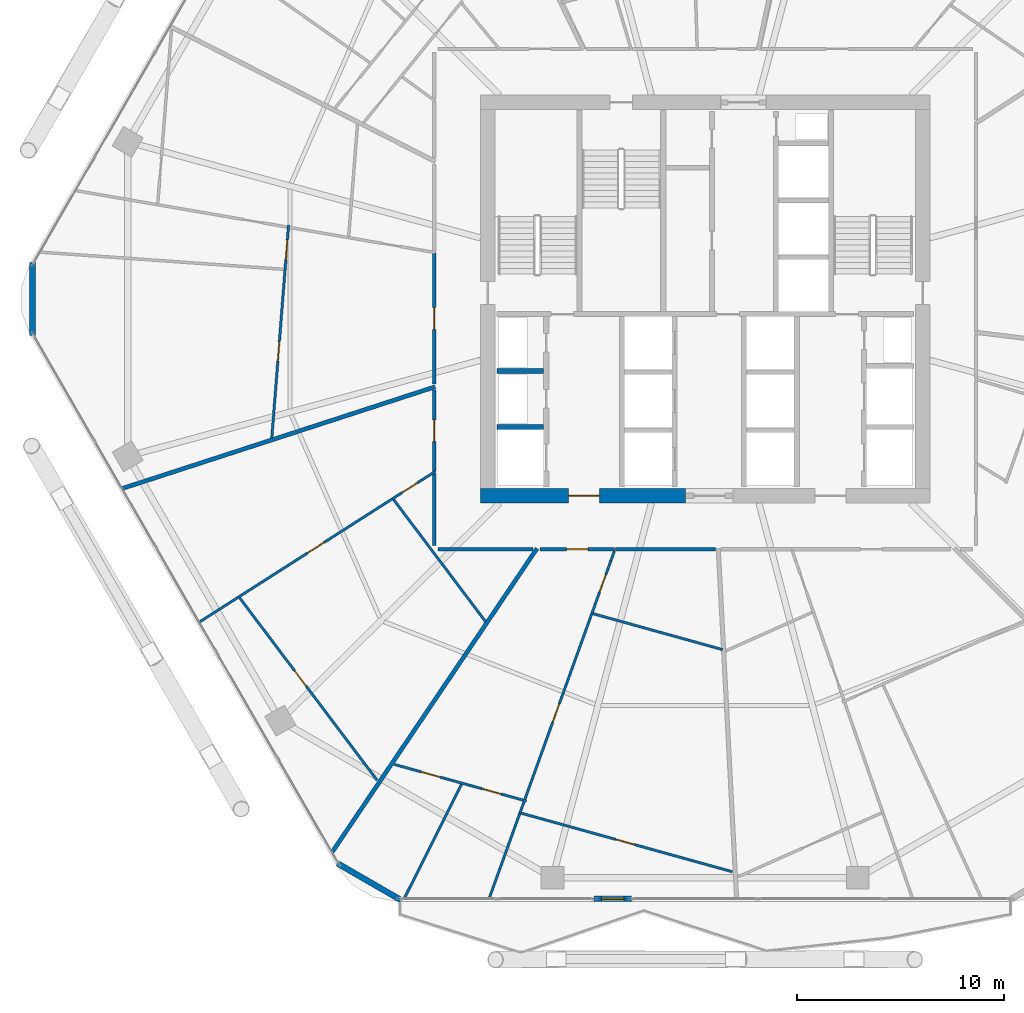
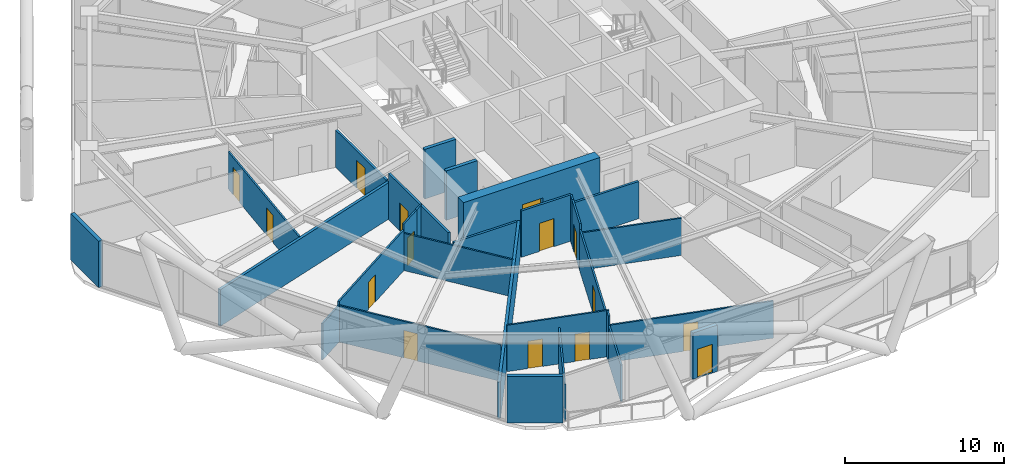
# One storey, part 27 of 35: 30 walls, 15 doors, 15 openings.
"""IFC4 building model written with IfcOpenShell, lengths in metres."""

from ifc_helpers import new_model, si_unit, direction, frame, frame_2d, origin, place, context, subcontext, project, spatial, rectangle, extrude, material, layer, layer_set, type_object, element, fill, save


model = new_model("IFC4")

# Units and contexts
model_context = context("Model", 3, precision=1e-05, world=origin(), true_north=direction((0.0, 1.0)))
body_context = subcontext(model_context, "Body", "Model", "MODEL_VIEW")
ifc_project = project(units=[si_unit("LENGTHUNIT", "METRE"), si_unit("AREAUNIT", "SQUARE_METRE"), si_unit("VOLUMEUNIT", "CUBIC_METRE"), si_unit("PLANEANGLEUNIT", "RADIAN"), si_unit("MASSUNIT", "GRAM", prefix="KILO")], contexts=[model_context])

# Site, building, storey
site_placement = place(None, origin())
site = spatial("IfcSite", under=ifc_project, at=site_placement, CompositionType="ELEMENT")
building_placement = place(site_placement, origin())
building = spatial("IfcBuilding", under=site, at=building_placement, Name="Zuhravey Tower", CompositionType="ELEMENT")
storey_placement = place(building_placement, frame((0.0, 0.0, 115.199951171875)))
storey = spatial("IfcBuildingStorey", under=building, at=storey_placement, Name="L28", CompositionType="ELEMENT", Elevation=115.199951171875)

# Wall, opening, door
ifc_material_1 = material(Name="Concrete C60/75", Category="concrete")
ifc_layer_1 = layer(ifc_material_1, 0.699951171875)
ifc_layer_set_1 = layer_set([ifc_layer_1], Name="Concrete C60/75")
wall_type_1 = type_object("IfcWallType", Name="Core Shear Wall 700", PredefinedType="SHEAR", material=ifc_layer_set_1)
wall_1_placement = place(storey_placement, frame((25.14990234375, 22.5, 0.0), z_axis=(0.0, 0.0, 1.0), x_axis=(1.0, 0.0, 0.0)))
wall_1 = element("IfcWall", 1, at=wall_1_placement, inside=storey, type_object=wall_type_1, Name="L28 South-West Core Shear Wall CW70", PredefinedType="SHEAR", context=body_context, shape_type="SweptSolid", body=[
    extrude(rectangle(XDim=9.900146484375, YDim=0.699951171875, at=frame_2d((4.9501953125, 0.0))), origin(), (0.0, 0.0, 1.0), 3.800048828125),
])
opening_1_placement = place(wall_1_placement, frame((4.25, 0.0, 0.0)))
opening_1 = element("IfcOpeningElement", 2, at=opening_1_placement, cuts=wall_1, Name="Opening FFD1", PredefinedType="OPENING", context=body_context, shape_type="SweptSolid", body=[
    extrude(rectangle(XDim=1.5, YDim=2.14990234375, at=frame_2d((0.75, 1.074951171875))), frame((0.0, 0.362060546875, 0.0), z_axis=(0.0, -1.0, 0.0), x_axis=(1.0, 0.0, 0.0)), (0.0, 0.0, 1.0), 0.723876953125),
])
ifc_material_2 = material(Name="Galvanised fire-rated steel leaf", Category="steel")
door_type_1 = type_object("IfcDoorType", Name="Firefighting Lobby Double Door 1500x2150", OperationType="DOUBLE_DOOR_SINGLE_SWING", PredefinedType="DOOR", material=ifc_material_2)
door_1_placement = place(opening_1_placement, origin())
door_1 = element("IfcDoor", 3, at=door_1_placement, inside=storey, type_object=door_type_1, Name="L28 Firefighting Lobby West Door", OperationType="DOUBLE_DOOR_SINGLE_SWING", OverallHeight=2.14990234375, OverallWidth=1.5, PredefinedType="DOOR", context=body_context, shape_type="SweptSolid", body=[
    extrude(rectangle(XDim=1.5, YDim=2.14990234375, at=frame_2d((0.75, 1.074951171875))), frame((0.0, 0.02490234375, 0.0), z_axis=(0.0, -1.0, 0.0), x_axis=(1.0, 0.0, 0.0)), (0.0, 0.0, 1.0), 0.050048828125),
])
fill(opening_1, door_1)

ifc_material_3 = material(Name="Gypsum fire-rated stud partition")
ifc_layer_2 = layer(ifc_material_3, 0.159912109375)
ifc_layer_set_2 = layer_set([ifc_layer_2], Name="Gypsum fire-rated stud partition")
wall_type_2 = type_object("IfcWallType", Name="Corridor Fire Partition 160", PredefinedType="PARTITIONING", material=ifc_layer_set_2)
wall_2_placement = place(storey_placement, frame((22.919921875, 34.234375, 0.0), z_axis=(0.0, 0.0, 1.0), x_axis=(0.0, -1.0, 0.0)))
wall_2 = element("IfcWall", 4, at=wall_2_placement, inside=storey, type_object=wall_type_2, Name="L28 IW16 Partition 038", PredefinedType="PARTITIONING", context=body_context, shape_type="SweptSolid", body=[
    extrude(rectangle(XDim=6.33740234375, YDim=0.159912109375, at=frame_2d((3.168701171875, 0.0))), origin(), (0.0, 0.0, 1.0), 2.85009765625),
])
opening_2_placement = place(wall_2_placement, frame((2.643798828125, 0.0, 0.0)))
opening_2 = element("IfcOpeningElement", 5, at=opening_2_placement, cuts=wall_2, Name="Opening APD1", PredefinedType="OPENING", context=body_context, shape_type="SweptSolid", body=[
    extrude(rectangle(XDim=1.050048828125, YDim=2.14990234375, at=frame_2d((0.52490234375, 1.074951171875))), frame((0.0, 0.092041015625, 0.0), z_axis=(0.0, -1.0, 0.0), x_axis=(1.0, 0.0, 0.0)), (0.0, 0.0, 1.0), 0.183837890625),
])
ifc_material_4 = material(Name="Solid-core oak fire-rated leaf")
door_type_2 = type_object("IfcDoorType", Name="Apartment Entrance Fire Door 1050x2150", OperationType="NOTDEFINED", PredefinedType="DOOR", material=ifc_material_4)
door_2_placement = place(opening_2_placement, frame((1.050048828125, 0.0, 0.0), z_axis=(0.0, 0.0, 1.0), x_axis=(-1.0, 0.0, 0.0)))
door_2 = element("IfcDoor", 6, at=door_2_placement, inside=storey, type_object=door_type_2, Name="L28 Door 038.1", OperationType="SINGLE_SWING_RIGHT", OverallHeight=2.14990234375, OverallWidth=1.050048828125, PredefinedType="DOOR", context=body_context, shape_type="SweptSolid", body=[
    extrude(rectangle(XDim=1.050048828125, YDim=2.14990234375, at=frame_2d((0.52490234375, 1.074951171875))), frame((0.0, 0.02490234375, 0.0), z_axis=(0.0, -1.0, 0.0), x_axis=(1.0, 0.0, 0.0)), (0.0, 0.0, 1.0), 0.050048828125),
])
fill(opening_2, door_2)

wall_3_placement = place(storey_placement, frame((22.919921875, 27.602294921875, 0.0), z_axis=(0.0, 0.0, 1.0), x_axis=(0.0, -1.0, 0.0)))
wall_3 = element("IfcWall", 7, at=wall_3_placement, inside=storey, type_object=wall_type_2, Name="L28 IW16 Partition 042", PredefinedType="PARTITIONING", context=body_context, shape_type="SweptSolid", body=[
    extrude(rectangle(XDim=3.9306640625, YDim=0.159912109375, at=frame_2d((1.96533203125, 0.0))), origin(), (0.0, 0.0, 1.0), 3.550048828125),
])
opening_3_placement = place(wall_3_placement, frame((1.4404296875, 0.0, 0.0)))
opening_3 = element("IfcOpeningElement", 8, at=opening_3_placement, cuts=wall_3, Name="Opening APD1", PredefinedType="OPENING", context=body_context, shape_type="SweptSolid", body=[
    extrude(rectangle(XDim=1.050048828125, YDim=2.14990234375, at=frame_2d((0.52490234375, 1.074951171875))), frame((0.0, 0.092041015625, 0.0), z_axis=(0.0, -1.0, 0.0), x_axis=(1.0, 0.0, 0.0)), (0.0, 0.0, 1.0), 0.183837890625),
])
door_3_placement = place(opening_3_placement, frame((1.050048828125, 0.0, 0.0), z_axis=(0.0, 0.0, 1.0), x_axis=(-1.0, 0.0, 0.0)))
door_3 = element("IfcDoor", 9, at=door_3_placement, inside=storey, type_object=door_type_2, Name="L28 Door 042.1", OperationType="SINGLE_SWING_RIGHT", OverallHeight=2.14990234375, OverallWidth=1.050048828125, PredefinedType="DOOR", context=body_context, shape_type="SweptSolid", body=[
    extrude(rectangle(XDim=1.050048828125, YDim=2.14990234375, at=frame_2d((0.52490234375, 1.074951171875))), frame((0.0, 0.02490234375, 0.0), z_axis=(0.0, -1.0, 0.0), x_axis=(1.0, 0.0, 0.0)), (0.0, 0.0, 1.0), 0.050048828125),
])
fill(opening_3, door_3)

wall_4_placement = place(storey_placement, frame((28.0283203125, 19.919921875, 0.0), z_axis=(0.0, 0.0, 1.0), x_axis=(1.0, 0.0, 0.0)))
wall_4 = element("IfcWall", 10, at=wall_4_placement, inside=storey, type_object=wall_type_2, Name="L28 IW16 Partition 048", PredefinedType="PARTITIONING", context=body_context, shape_type="SweptSolid", body=[
    extrude(rectangle(XDim=3.5966796875, YDim=0.159912109375, at=frame_2d((1.79833984375, 0.0))), origin(), (0.0, 0.0, 1.0), 3.550048828125),
])
opening_4_placement = place(wall_4_placement, frame((1.273193359375, 0.0, 0.0)))
opening_4 = element("IfcOpeningElement", 11, at=opening_4_placement, cuts=wall_4, Name="Opening APD1", PredefinedType="OPENING", context=body_context, shape_type="SweptSolid", body=[
    extrude(rectangle(XDim=1.050048828125, YDim=2.14990234375, at=frame_2d((0.52490234375, 1.074951171875))), frame((0.0, 0.092041015625, 0.0), z_axis=(0.0, -1.0, 0.0), x_axis=(1.0, 0.0, 0.0)), (0.0, 0.0, 1.0), 0.183837890625),
])
door_4_placement = place(opening_4_placement, frame((1.050048828125, 0.0, 0.0), z_axis=(0.0, 0.0, 1.0), x_axis=(-1.0, 0.0, 0.0)))
door_4 = element("IfcDoor", 12, at=door_4_placement, inside=storey, type_object=door_type_2, Name="L28 Door 048.1", OperationType="SINGLE_SWING_RIGHT", OverallHeight=2.14990234375, OverallWidth=1.050048828125, PredefinedType="DOOR", context=body_context, shape_type="SweptSolid", body=[
    extrude(rectangle(XDim=1.050048828125, YDim=2.14990234375, at=frame_2d((0.52490234375, 1.074951171875))), frame((0.0, 0.02490234375, 0.0), z_axis=(0.0, -1.0, 0.0), x_axis=(1.0, 0.0, 0.0)), (0.0, 0.0, 1.0), 0.050048828125),
])
fill(opening_4, door_4)

# Walls
wall_5_placement = place(storey_placement, frame((23.10009765625, 19.919921875, 0.0), z_axis=(0.0, 0.0, 1.0), x_axis=(1.0, 0.0, 0.0)))
element("IfcWall", 13, at=wall_5_placement, inside=storey, type_object=wall_type_2, Name="L28 IW16 Partition 122", PredefinedType="PARTITIONING", context=body_context, shape_type="SweptSolid", body=[
    extrude(rectangle(XDim=4.5732421875, YDim=0.159912109375, at=frame_2d((2.28662109375, 0.0))), origin(), (0.0, 0.0, 1.0), 2.85009765625),
])
wall_6_placement = place(storey_placement, frame((22.919921875, 23.567138671875, 0.0), z_axis=(0.0, 0.0, 1.0), x_axis=(0.0, -1.0, 0.0)))
element("IfcWall", 14, at=wall_6_placement, inside=storey, type_object=wall_type_2, Name="L28 IW16 Partition 123", PredefinedType="PARTITIONING", context=body_context, shape_type="SweptSolid", body=[
    extrude(rectangle(XDim=3.467041015625, YDim=0.159912109375, at=frame_2d((1.7333984375, 0.0))), origin(), (0.0, 0.0, 1.0), 3.550048828125),
])
wall_7_placement = place(storey_placement, frame((31.66748046875, 19.919921875, 0.0), z_axis=(0.0, 0.0, 1.0), x_axis=(1.0, 0.0, 0.0)))
element("IfcWall", 15, at=wall_7_placement, inside=storey, type_object=wall_type_2, Name="L28 IW16 Partition 124", PredefinedType="PARTITIONING", context=body_context, shape_type="SweptSolid", body=[
    extrude(rectangle(XDim=4.83984375, YDim=0.159912109375, at=frame_2d((2.419921875, 0.0))), origin(), (0.0, 0.0, 1.0), 2.85009765625),
])

# Wall, opening, door
ifc_material_5 = material(Name="Precast concrete C40/50", Category="concrete")
ifc_layer_3 = layer(ifc_material_5, 0.280029296875)
ifc_layer_set_3 = layer_set([ifc_layer_3], Name="Precast concrete C40/50")
wall_type_3 = type_object("IfcWallType", Name="Crown Architectural Wall 280", PredefinedType="SOLIDWALL", material=ifc_layer_set_3)
wall_8_placement = place(storey_placement, frame((32.4326171875, 3.04150390625, 0.0), z_axis=(0.0, 0.0, 1.0), x_axis=(-1.0, 0.0, 0.0)))
wall_8 = element("IfcWall", 16, at=wall_8_placement, inside=storey, type_object=wall_type_3, Name="L28 Face 5 Facade Pier EW28-1", PredefinedType="SOLIDWALL", context=body_context, shape_type="SweptSolid", body=[
    extrude(rectangle(XDim=1.7900390625, YDim=0.280029296875, at=frame_2d((0.89501953125, 0.0))), origin(), (0.0, 0.0, 1.0), 3.550048828125),
])
opening_5_placement = place(wall_8_placement, frame((0.344970703125, 0.0, 0.0)))
opening_5 = element("IfcOpeningElement", 17, at=opening_5_placement, cuts=wall_8, Name="Opening BLD1", PredefinedType="OPENING", context=body_context, shape_type="SweptSolid", body=[
    extrude(rectangle(XDim=1.10009765625, YDim=2.199951171875, at=frame_2d((0.550048828125, 1.10009765625))), frame((0.0, 0.152099609375, 0.0), z_axis=(0.0, -1.0, 0.0), x_axis=(1.0, 0.0, 0.0)), (0.0, 0.0, 1.0), 0.303955078125),
])
ifc_material_6 = material(Name="Thermally broken aluminium and low-E glass", Category="aluminium")
door_type_3 = type_object("IfcDoorType", Name="Balcony & Sky-Tray Glazed Door 1100x2200", OperationType="NOTDEFINED", PredefinedType="DOOR", material=ifc_material_6)
door_5_placement = place(opening_5_placement, frame((1.10009765625, 0.0, 0.0), z_axis=(0.0, 0.0, 1.0), x_axis=(-1.0, 0.0, 0.0)))
door_5 = element("IfcDoor", 18, at=door_5_placement, inside=storey, type_object=door_type_3, Name="L28 Face 5 Wave Balcony Door", OperationType="SINGLE_SWING_LEFT", OverallHeight=2.199951171875, OverallWidth=1.10009765625, PredefinedType="DOOR", context=body_context, shape_type="SweptSolid", body=[
    extrude(rectangle(XDim=1.10009765625, YDim=2.199951171875, at=frame_2d((0.550048828125, 1.10009765625))), frame((0.0, 0.02490234375, 0.0), z_axis=(0.0, -1.0, 0.0), x_axis=(1.0, 0.0, 0.0)), (0.0, 0.0, 1.0), 0.050048828125),
])
fill(opening_5, door_5)

# Walls
wall_9_placement = place(storey_placement, frame((21.28271484375, 2.993896484375, 0.0), z_axis=(0.0, 0.0, 1.0), x_axis=(-0.866007452331, 0.500031091541, 0.0)))
element("IfcWall", 19, at=wall_9_placement, inside=storey, type_object=wall_type_3, Name="L28 Rounded Corner Closure Wall EW28-04", PredefinedType="SOLIDWALL", context=body_context, shape_type="SweptSolid", body=[
    extrude(rectangle(XDim=3.514892578125, YDim=0.280029296875, at=frame_2d((1.75732421875, 0.0))), origin(), (0.0, 0.0, 1.0), 3.550048828125),
])
wall_10_placement = place(storey_placement, frame((3.521484375, 30.242431640625, 0.0), z_axis=(0.0, 0.0, 1.0), x_axis=(0.0, 1.0, 0.0)))
element("IfcWall", 20, at=wall_10_placement, inside=storey, type_object=wall_type_3, Name="L28 Rounded Corner Closure Wall EW28-06", PredefinedType="SOLIDWALL", context=body_context, shape_type="SweptSolid", body=[
    extrude(rectangle(XDim=3.51513671875, YDim=0.280029296875, at=frame_2d((1.757568359375, 0.0))), origin(), (0.0, 0.0, 1.0), 3.550048828125),
])
ifc_material_7 = material(Name="Concrete C50/60", Category="concrete")
ifc_layer_4 = layer(ifc_material_7, 0.25)
ifc_layer_set_4 = layer_set([ifc_layer_4], Name="Concrete C50/60")
wall_type_4 = type_object("IfcWallType", Name="Firefighting Shaft & Stair Wall 250", PredefinedType="SOLIDWALL", material=ifc_layer_set_4)
for number, where, z_axis, x_axis, name in (
    (21, (25.949951171875, 25.824951171875, 0.0), (0.0, 0.0, 1.0), (1.0, 0.0, 0.0), "L28 FW25 Shaft Wall 009"),
    (22, (25.949951171875, 28.52490234375, 0.0), (0.0, 0.0, 1.0), (1.0, 0.0, 0.0), "L28 FW25 Shaft Wall 010"),
):
    element("IfcWall", number, at=place(storey_placement, frame(where, z_axis=z_axis, x_axis=x_axis)), inside=storey, type_object=wall_type_4, Name=name, PredefinedType="SOLIDWALL", context=body_context, shape_type="SweptSolid", body=[
        extrude(rectangle(XDim=2.25, YDim=0.25, at=frame_2d((1.125, 0.0))), origin(), (0.0, 0.0, 1.0), 3.800048828125),
    ])
ifc_material_8 = material(Name="Gypsum double-stud party assembly")
ifc_layer_5 = layer(ifc_material_8, 0.199951171875)
ifc_layer_set_5 = layer_set([ifc_layer_5], Name="Gypsum double-stud party assembly")
wall_type_5 = type_object("IfcWallType", Name="Inter-Tenancy Party Wall 200", PredefinedType="PARTITIONING", material=ifc_layer_set_5)
wall_11_placement = place(storey_placement, frame((22.9599609375, 27.762939453125, 0.0), z_axis=(0.0, 0.0, 1.0), x_axis=(-0.95105675479, -0.309016260362, 0.0)))
element("IfcWall", 23, at=wall_11_placement, inside=storey, type_object=wall_type_5, Name="L28 IW20 Partition 092", PredefinedType="PARTITIONING", context=body_context, shape_type="SweptSolid", body=[
    extrude(rectangle(XDim=15.894287109375, YDim=0.199951171875, at=frame_2d((7.947265625, 0.0))), origin(), (0.0, 0.0, 1.0), 2.800048828125),
])
wall_12_placement = place(storey_placement, frame((27.87890625, 19.9599609375, 0.0), z_axis=(0.0, 0.0, 1.0), x_axis=(-0.559197020648, -0.829034795469, 0.0)))
element("IfcWall", 24, at=wall_12_placement, inside=storey, type_object=wall_type_5, Name="L28 IW20 Partition 096", PredefinedType="PARTITIONING", context=body_context, shape_type="SweptSolid", body=[
    extrude(rectangle(XDim=17.6962890625, YDim=0.199951171875, at=frame_2d((8.84814453125, 0.0))), origin(), (0.0, 0.0, 1.0), 2.800048828125),
])

# Wall, openings, doors
ifc_material_9 = material(Name="Gypsum metal-stud partition")
ifc_layer_6 = layer(ifc_material_9, 0.1201171875)
ifc_layer_set_6 = layer_set([ifc_layer_6], Name="Gypsum metal-stud partition")
wall_type_6 = type_object("IfcWallType", Name="Unit Internal Partition 120", PredefinedType="PARTITIONING", material=ifc_layer_set_6)
wall_13_placement = place(storey_placement, frame((15.880126953125, 35.569580078125, 0.0), z_axis=(0.0, 0.0, 1.0), x_axis=(-0.078466415581, -0.996916757621, 0.0)))
wall_13 = element("IfcWall", 25, at=wall_13_placement, inside=storey, type_object=wall_type_6, Name="L28 IW12 Partition 033", PredefinedType="PARTITIONING", context=body_context, shape_type="SweptSolid", body=[
    extrude(rectangle(XDim=10.304931640625, YDim=0.1201171875, at=frame_2d((5.15234375, 0.0))), origin(), (0.0, 0.0, 1.0), 2.85009765625),
])
opening_6_placement = place(wall_13_placement, frame((0.716552734375, 0.0, 0.0)))
opening_6 = element("IfcOpeningElement", 26, at=opening_6_placement, cuts=wall_13, Name="Opening IND1", PredefinedType="OPENING", context=body_context, shape_type="SweptSolid", body=[
    extrude(rectangle(XDim=0.949951171875, YDim=2.10009765625, at=frame_2d((0.47509765625, 1.050048828125))), frame((0.0, 0.072021484375, 0.0), z_axis=(0.0, -1.0, 0.0), x_axis=(1.0, 0.0, 0.0)), (0.0, 0.0, 1.0), 0.14404296875),
])
opening_7_placement = place(wall_13_placement, frame((5.62890625, 0.0, 0.0)))
opening_7 = element("IfcOpeningElement", 27, at=opening_7_placement, cuts=wall_13, Name="Opening IND1", PredefinedType="OPENING", context=body_context, shape_type="SweptSolid", body=[
    extrude(rectangle(XDim=0.949951171875, YDim=2.10009765625, at=frame_2d((0.47509765625, 1.050048828125))), frame((0.0, 0.072021484375, 0.0), z_axis=(0.0, -1.0, 0.0), x_axis=(1.0, 0.0, 0.0)), (0.0, 0.0, 1.0), 0.14404296875),
])
ifc_material_10 = material(Name="Painted engineered timber leaf", Category="wood")
door_type_4 = type_object("IfcDoorType", Name="Internal Room & Bedroom Door 950x2100", OperationType="NOTDEFINED", PredefinedType="DOOR", material=ifc_material_10)
door_6_placement = place(opening_6_placement, frame((0.949951171875, 0.0, 0.0), z_axis=(0.0, 0.0, 1.0), x_axis=(-1.0, 0.0, 0.0)))
door_6 = element("IfcDoor", 28, at=door_6_placement, inside=storey, type_object=door_type_4, Name="Apartment L28-04 Family Study Door", OperationType="SINGLE_SWING_LEFT", OverallHeight=2.10009765625, OverallWidth=0.949951171875, PredefinedType="DOOR", context=body_context, shape_type="SweptSolid", body=[
    extrude(rectangle(XDim=0.949951171875, YDim=2.10009765625, at=frame_2d((0.47509765625, 1.050048828125))), frame((0.0, 0.02490234375, 0.0), z_axis=(0.0, -1.0, 0.0), x_axis=(1.0, 0.0, 0.0)), (0.0, 0.0, 1.0), 0.050048828125),
])
fill(opening_6, door_6)
door_7_placement = place(opening_7_placement, frame((0.949951171875, 0.0, 0.0), z_axis=(0.0, 0.0, 1.0), x_axis=(-1.0, 0.0, 0.0)))
door_7 = element("IfcDoor", 29, at=door_7_placement, inside=storey, type_object=door_type_4, Name="Apartment L28-04 Dining Room Door", OperationType="SINGLE_SWING_RIGHT", OverallHeight=2.10009765625, OverallWidth=0.949951171875, PredefinedType="DOOR", context=body_context, shape_type="SweptSolid", body=[
    extrude(rectangle(XDim=0.949951171875, YDim=2.10009765625, at=frame_2d((0.47509765625, 1.050048828125))), frame((0.0, 0.02490234375, 0.0), z_axis=(0.0, -1.0, 0.0), x_axis=(1.0, 0.0, 0.0)), (0.0, 0.0, 1.0), 0.050048828125),
])
fill(opening_7, door_7)

# Wall, opening, door
wall_14_placement = place(storey_placement, frame((22.35009765625, 23.283935546875, 0.0), z_axis=(0.0, 0.0, 1.0), x_axis=(-0.842804899484, -0.538219194572, 0.0)))
wall_14 = element("IfcWall", 30, at=wall_14_placement, inside=storey, type_object=wall_type_6, Name="L28 IW12 Partition 039", PredefinedType="PARTITIONING", context=body_context, shape_type="SweptSolid", body=[
    extrude(rectangle(XDim=1.727294921875, YDim=0.1201171875, at=frame_2d((0.86376953125, 0.0))), origin(), (0.0, 0.0, 1.0), 3.550048828125),
])
opening_8_placement = place(wall_14_placement, frame((0.275390625, 0.0, 0.0)))
opening_8 = element("IfcOpeningElement", 31, at=opening_8_placement, cuts=wall_14, Name="Opening WCD1", PredefinedType="OPENING", context=body_context, shape_type="SweptSolid", body=[
    extrude(rectangle(XDim=0.89990234375, YDim=2.10009765625, at=frame_2d((0.449951171875, 1.050048828125))), frame((0.0, 0.072021484375, 0.0), z_axis=(0.0, -1.0, 0.0), x_axis=(1.0, 0.0, 0.0)), (0.0, 0.0, 1.0), 0.14404296875),
])
ifc_material_11 = material(Name="Moisture-resistant timber leaf", Category="wood")
door_type_5 = type_object("IfcDoorType", Name="Bathroom & WC Internal Door 900x2100", OperationType="NOTDEFINED", PredefinedType="DOOR", material=ifc_material_11)
door_8_placement = place(opening_8_placement, origin())
door_8 = element("IfcDoor", 32, at=door_8_placement, inside=storey, type_object=door_type_5, Name="Apartment L28-05 Bathroom Door", OperationType="SINGLE_SWING_LEFT", OverallHeight=2.10009765625, OverallWidth=0.89990234375, PredefinedType="DOOR", context=body_context, shape_type="SweptSolid", body=[
    extrude(rectangle(XDim=0.89990234375, YDim=2.10009765625, at=frame_2d((0.449951171875, 1.050048828125))), frame((0.0, 0.02490234375, 0.0), z_axis=(0.0, -1.0, 0.0), x_axis=(1.0, 0.0, 0.0)), (0.0, 0.0, 1.0), 0.050048828125),
])
fill(opening_8, door_8)

wall_15_placement = place(storey_placement, frame((20.894287109375, 22.354248046875, 0.0), z_axis=(0.0, 0.0, 1.0), x_axis=(-0.842829505657, -0.538180661482, 0.0)))
wall_15 = element("IfcWall", 33, at=wall_15_placement, inside=storey, type_object=wall_type_6, Name="L28 IW12 Partition 040", PredefinedType="PARTITIONING", context=body_context, shape_type="SweptSolid", body=[
    extrude(rectangle(XDim=8.8193359375, YDim=0.1201171875, at=frame_2d((4.40966796875, 0.0))), origin(), (0.0, 0.0, 1.0), 3.10009765625),
])
opening_9_placement = place(wall_15_placement, frame((3.90966796875, 0.0, 0.0)))
opening_9 = element("IfcOpeningElement", 34, at=opening_9_placement, cuts=wall_15, Name="Opening IND1", PredefinedType="OPENING", context=body_context, shape_type="SweptSolid", body=[
    extrude(rectangle(XDim=0.949951171875, YDim=2.10009765625, at=frame_2d((0.47509765625, 1.050048828125))), frame((0.0, 0.072021484375, 0.0), z_axis=(0.0, -1.0, 0.0), x_axis=(1.0, 0.0, 0.0)), (0.0, 0.0, 1.0), 0.14404296875),
])
door_9_placement = place(opening_9_placement, origin())
door_9 = element("IfcDoor", 35, at=door_9_placement, inside=storey, type_object=door_type_4, Name="Apartment L28-05 Home Office Door", OperationType="SINGLE_SWING_RIGHT", OverallHeight=2.10009765625, OverallWidth=0.949951171875, PredefinedType="DOOR", context=body_context, shape_type="SweptSolid", body=[
    extrude(rectangle(XDim=0.949951171875, YDim=2.10009765625, at=frame_2d((0.47509765625, 1.050048828125))), frame((0.0, 0.02490234375, 0.0), z_axis=(0.0, -1.0, 0.0), x_axis=(1.0, 0.0, 0.0)), (0.0, 0.0, 1.0), 0.050048828125),
])
fill(opening_9, door_9)

wall_16_placement = place(storey_placement, frame((13.523193359375, 17.56689453125, 0.0), z_axis=(0.0, 0.0, 1.0), x_axis=(0.601820745962, -0.798631197569, 0.0)))
wall_16 = element("IfcWall", 36, at=wall_16_placement, inside=storey, type_object=wall_type_6, Name="L28 IW12 Partition 041", PredefinedType="PARTITIONING", context=body_context, shape_type="SweptSolid", body=[
    extrude(rectangle(XDim=11.01806640625, YDim=0.1201171875, at=frame_2d((5.509033203125, 0.0))), origin(), (0.0, 0.0, 1.0), 2.800048828125),
])
opening_10_placement = place(wall_16_placement, frame((4.390380859375, 0.0, 0.0)))
opening_10 = element("IfcOpeningElement", 37, at=opening_10_placement, cuts=wall_16, Name="Opening IND1", PredefinedType="OPENING", context=body_context, shape_type="SweptSolid", body=[
    extrude(rectangle(XDim=0.949951171875, YDim=2.10009765625, at=frame_2d((0.47509765625, 1.050048828125))), frame((0.0, 0.072021484375, 0.0), z_axis=(0.0, -1.0, 0.0), x_axis=(1.0, 0.0, 0.0)), (0.0, 0.0, 1.0), 0.14404296875),
])
door_10_placement = place(opening_10_placement, frame((0.949951171875, 0.0, 0.0), z_axis=(0.0, 0.0, 1.0), x_axis=(-1.0, 0.0, 0.0)))
door_10 = element("IfcDoor", 38, at=door_10_placement, inside=storey, type_object=door_type_4, Name="Apartment L28-05 Bedroom 1 Door", OperationType="SINGLE_SWING_LEFT", OverallHeight=2.10009765625, OverallWidth=0.949951171875, PredefinedType="DOOR", context=body_context, shape_type="SweptSolid", body=[
    extrude(rectangle(XDim=0.949951171875, YDim=2.10009765625, at=frame_2d((0.47509765625, 1.050048828125))), frame((0.0, 0.02490234375, 0.0), z_axis=(0.0, -1.0, 0.0), x_axis=(1.0, 0.0, 0.0)), (0.0, 0.0, 1.0), 0.050048828125),
])
fill(opening_10, door_10)

# Wall, openings, doors
wall_17_placement = place(storey_placement, frame((21.004150390625, 9.52490234375, 0.0), z_axis=(0.0, 0.0, 1.0), x_axis=(0.963627434519, -0.267249260883, 0.0)))
wall_17 = element("IfcWall", 39, at=wall_17_placement, inside=storey, type_object=wall_type_6, Name="L28 IW12 Partition 043", PredefinedType="PARTITIONING", context=body_context, shape_type="SweptSolid", body=[
    extrude(rectangle(XDim=6.605712890625, YDim=0.1201171875, at=frame_2d((3.302734375, 0.0))), origin(), (0.0, 0.0, 1.0), 3.550048828125),
])
opening_11_placement = place(wall_17_placement, frame((1.33544921875, 0.0, 0.0)))
opening_11 = element("IfcOpeningElement", 40, at=opening_11_placement, cuts=wall_17, Name="Opening IND1", PredefinedType="OPENING", context=body_context, shape_type="SweptSolid", body=[
    extrude(rectangle(XDim=0.949951171875, YDim=2.10009765625, at=frame_2d((0.47509765625, 1.050048828125))), frame((0.0, 0.072021484375, 0.0), z_axis=(0.0, -1.0, 0.0), x_axis=(1.0, 0.0, 0.0)), (0.0, 0.0, 1.0), 0.14404296875),
])
opening_12_placement = place(wall_17_placement, frame((4.39599609375, 0.0, 0.0)))
opening_12 = element("IfcOpeningElement", 41, at=opening_12_placement, cuts=wall_17, Name="Opening IND1", PredefinedType="OPENING", context=body_context, shape_type="SweptSolid", body=[
    extrude(rectangle(XDim=0.949951171875, YDim=2.10009765625, at=frame_2d((0.47509765625, 1.050048828125))), frame((0.0, 0.072021484375, 0.0), z_axis=(0.0, -1.0, 0.0), x_axis=(1.0, 0.0, 0.0)), (0.0, 0.0, 1.0), 0.14404296875),
])
door_11_placement = place(opening_11_placement, frame((0.949951171875, 0.0, 0.0), z_axis=(0.0, 0.0, 1.0), x_axis=(-1.0, 0.0, 0.0)))
door_11 = element("IfcDoor", 42, at=door_11_placement, inside=storey, type_object=door_type_4, Name="Apartment L28-06 Family Study Door", OperationType="SINGLE_SWING_LEFT", OverallHeight=2.10009765625, OverallWidth=0.949951171875, PredefinedType="DOOR", context=body_context, shape_type="SweptSolid", body=[
    extrude(rectangle(XDim=0.949951171875, YDim=2.10009765625, at=frame_2d((0.47509765625, 1.050048828125))), frame((0.0, 0.02490234375, 0.0), z_axis=(0.0, -1.0, 0.0), x_axis=(1.0, 0.0, 0.0)), (0.0, 0.0, 1.0), 0.050048828125),
])
fill(opening_11, door_11)
door_12_placement = place(opening_12_placement, frame((0.949951171875, 0.0, 0.0), z_axis=(0.0, 0.0, 1.0), x_axis=(-1.0, 0.0, 0.0)))
door_12 = element("IfcDoor", 43, at=door_12_placement, inside=storey, type_object=door_type_4, Name="Apartment L28-06 Dining Room Door", OperationType="SINGLE_SWING_RIGHT", OverallHeight=2.10009765625, OverallWidth=0.949951171875, PredefinedType="DOOR", context=body_context, shape_type="SweptSolid", body=[
    extrude(rectangle(XDim=0.949951171875, YDim=2.10009765625, at=frame_2d((0.47509765625, 1.050048828125))), frame((0.0, 0.02490234375, 0.0), z_axis=(0.0, -1.0, 0.0), x_axis=(1.0, 0.0, 0.0)), (0.0, 0.0, 1.0), 0.050048828125),
])
fill(opening_12, door_12)

# Wall, opening, door
wall_18_placement = place(storey_placement, frame((31.44091796875, 19.35009765625, 0.0), z_axis=(0.0, 0.0, 1.0), x_axis=(-0.339095676242, -0.940751892028, 0.0)))
wall_18 = element("IfcWall", 44, at=wall_18_placement, inside=storey, type_object=wall_type_6, Name="L28 IW12 Partition 044", PredefinedType="PARTITIONING", context=body_context, shape_type="SweptSolid", body=[
    extrude(rectangle(XDim=2.71142578125, YDim=0.1201171875, at=frame_2d((1.355712890625, 0.0))), origin(), (0.0, 0.0, 1.0), 3.550048828125),
])
opening_13_placement = place(wall_18_placement, frame((0.688720703125, 0.0, 0.0)))
opening_13 = element("IfcOpeningElement", 45, at=opening_13_placement, cuts=wall_18, Name="Opening WCD1", PredefinedType="OPENING", context=body_context, shape_type="SweptSolid", body=[
    extrude(rectangle(XDim=0.89990234375, YDim=2.10009765625, at=frame_2d((0.449951171875, 1.050048828125))), frame((0.0, 0.072021484375, 0.0), z_axis=(0.0, -1.0, 0.0), x_axis=(1.0, 0.0, 0.0)), (0.0, 0.0, 1.0), 0.14404296875),
])
door_13_placement = place(opening_13_placement, origin())
door_13 = element("IfcDoor", 46, at=door_13_placement, inside=storey, type_object=door_type_5, Name="Apartment L28-06 Bathroom Door", OperationType="SINGLE_SWING_LEFT", OverallHeight=2.10009765625, OverallWidth=0.89990234375, PredefinedType="DOOR", context=body_context, shape_type="SweptSolid", body=[
    extrude(rectangle(XDim=0.89990234375, YDim=2.10009765625, at=frame_2d((0.449951171875, 1.050048828125))), frame((0.0, 0.02490234375, 0.0), z_axis=(0.0, -1.0, 0.0), x_axis=(1.0, 0.0, 0.0)), (0.0, 0.0, 1.0), 0.050048828125),
])
fill(opening_13, door_13)

wall_19_placement = place(storey_placement, frame((30.521484375, 16.79931640625, 0.0), z_axis=(0.0, 0.0, 1.0), x_axis=(-0.339072987496, -0.940760069917, 0.0)))
wall_19 = element("IfcWall", 47, at=wall_19_placement, inside=storey, type_object=wall_type_6, Name="L28 IW12 Partition 045", PredefinedType="PARTITIONING", context=body_context, shape_type="SweptSolid", body=[
    extrude(rectangle(XDim=9.51220703125, YDim=0.1201171875, at=frame_2d((4.756103515625, 0.0))), origin(), (0.0, 0.0, 1.0), 3.10009765625),
])
opening_14_placement = place(wall_19_placement, frame((4.619873046875, 0.0, 0.0)))
opening_14 = element("IfcOpeningElement", 48, at=opening_14_placement, cuts=wall_19, Name="Opening IND1", PredefinedType="OPENING", context=body_context, shape_type="SweptSolid", body=[
    extrude(rectangle(XDim=0.949951171875, YDim=2.10009765625, at=frame_2d((0.47509765625, 1.050048828125))), frame((0.0, 0.072021484375, 0.0), z_axis=(0.0, -1.0, 0.0), x_axis=(1.0, 0.0, 0.0)), (0.0, 0.0, 1.0), 0.14404296875),
])
door_14_placement = place(opening_14_placement, origin())
door_14 = element("IfcDoor", 49, at=door_14_placement, inside=storey, type_object=door_type_4, Name="Apartment L28-06 Home Office Door", OperationType="SINGLE_SWING_RIGHT", OverallHeight=2.10009765625, OverallWidth=0.949951171875, PredefinedType="DOOR", context=body_context, shape_type="SweptSolid", body=[
    extrude(rectangle(XDim=0.949951171875, YDim=2.10009765625, at=frame_2d((0.47509765625, 1.050048828125))), frame((0.0, 0.02490234375, 0.0), z_axis=(0.0, -1.0, 0.0), x_axis=(1.0, 0.0, 0.0)), (0.0, 0.0, 1.0), 0.050048828125),
])
fill(opening_14, door_14)

# Wall
wall_20_placement = place(storey_placement, frame((27.25, 7.72216796875, 0.0), z_axis=(0.0, 0.0, 1.0), x_axis=(-0.339319445683, -0.940671203865, 0.0)))
element("IfcWall", 50, at=wall_20_placement, inside=storey, type_object=wall_type_6, Name="L28 IW12 Partition 046", PredefinedType="PARTITIONING", context=body_context, shape_type="SweptSolid", body=[
    extrude(rectangle(XDim=0.5908203125, YDim=0.1201171875, at=frame_2d((0.29541015625, 0.0))), origin(), (0.0, 0.0, 1.0), 3.550048828125),
])

# Wall, opening, door
wall_21_placement = place(storey_placement, frame((27.123779296875, 7.171630859375, 0.0), z_axis=(0.0, 0.0, 1.0), x_axis=(0.963629033609, -0.267243494936, 0.0)))
wall_21 = element("IfcWall", 51, at=wall_21_placement, inside=storey, type_object=wall_type_6, Name="L28 IW12 Partition 047", PredefinedType="PARTITIONING", context=body_context, shape_type="SweptSolid", body=[
    extrude(rectangle(XDim=10.56787109375, YDim=0.1201171875, at=frame_2d((5.283935546875, 0.0))), origin(), (0.0, 0.0, 1.0), 2.85009765625),
])
opening_15_placement = place(wall_21_placement, frame((4.724609375, 0.0, 0.0)))
opening_15 = element("IfcOpeningElement", 52, at=opening_15_placement, cuts=wall_21, Name="Opening IND1", PredefinedType="OPENING", context=body_context, shape_type="SweptSolid", body=[
    extrude(rectangle(XDim=0.949951171875, YDim=2.10009765625, at=frame_2d((0.47509765625, 1.050048828125))), frame((0.0, 0.072021484375, 0.0), z_axis=(0.0, -1.0, 0.0), x_axis=(1.0, 0.0, 0.0)), (0.0, 0.0, 1.0), 0.14404296875),
])
door_15_placement = place(opening_15_placement, frame((0.949951171875, 0.0, 0.0), z_axis=(0.0, 0.0, 1.0), x_axis=(-1.0, 0.0, 0.0)))
door_15 = element("IfcDoor", 53, at=door_15_placement, inside=storey, type_object=door_type_4, Name="Apartment L28-06 Bedroom 1 Door", OperationType="SINGLE_SWING_LEFT", OverallHeight=2.10009765625, OverallWidth=0.949951171875, PredefinedType="DOOR", context=body_context, shape_type="SweptSolid", body=[
    extrude(rectangle(XDim=0.949951171875, YDim=2.10009765625, at=frame_2d((0.47509765625, 1.050048828125))), frame((0.0, 0.02490234375, 0.0), z_axis=(0.0, -1.0, 0.0), x_axis=(1.0, 0.0, 0.0)), (0.0, 0.0, 1.0), 0.050048828125),
])
fill(opening_15, door_15)

# Walls
wall_22_placement = place(storey_placement, frame((22.957275390625, 23.671630859375, 0.0), z_axis=(0.0, 0.0, 1.0), x_axis=(-0.842837175005, -0.538168650546, 0.0)))
element("IfcWall", 54, at=wall_22_placement, inside=storey, type_object=wall_type_6, Name="L28 IW12 Partition 093", PredefinedType="PARTITIONING", context=body_context, shape_type="SweptSolid", body=[
    extrude(rectangle(XDim=0.720458984375, YDim=0.1201171875, at=frame_2d((0.3603515625, 0.0))), origin(), (0.0, 0.0, 1.0), 3.550048828125),
])
wall_23_placement = place(storey_placement, frame((13.461181640625, 17.60791015625, 0.0), z_axis=(0.0, 0.0, 1.0), x_axis=(-0.842820653361, -0.538194524562, 0.0)))
element("IfcWall", 55, at=wall_23_placement, inside=storey, type_object=wall_type_6, Name="L28 IW12 Partition 094", PredefinedType="PARTITIONING", context=body_context, shape_type="SweptSolid", body=[
    extrude(rectangle(XDim=2.25048828125, YDim=0.1201171875, at=frame_2d((1.125244140625, 0.0))), origin(), (0.0, 0.0, 1.0), 2.800048828125),
])
wall_24_placement = place(storey_placement, frame((20.956298828125, 22.313232421875, 0.0), z_axis=(0.0, 0.0, 1.0), x_axis=(0.601821242671, -0.798630823265, 0.0)))
element("IfcWall", 56, at=wall_24_placement, inside=storey, type_object=wall_type_6, Name="L28 IW12 Partition 095", PredefinedType="PARTITIONING", context=body_context, shape_type="SweptSolid", body=[
    extrude(rectangle(XDim=7.393310546875, YDim=0.1201171875, at=frame_2d((3.69677734375, 0.0))), origin(), (0.0, 0.0, 1.0), 2.85009765625),
])
wall_25_placement = place(storey_placement, frame((24.231201171875, 8.559326171875, 0.0), z_axis=(0.0, 0.0, 1.0), x_axis=(-0.448691712372, -0.893686604604, 0.0)))
element("IfcWall", 57, at=wall_25_placement, inside=storey, type_object=wall_type_6, Name="L28 IW12 Partition 097", PredefinedType="PARTITIONING", context=body_context, shape_type="SweptSolid", body=[
    extrude(rectangle(XDim=6.207763671875, YDim=0.1201171875, at=frame_2d((3.10400390625, 0.0))), origin(), (0.0, 0.0, 1.0), 2.800048828125),
])
wall_26_placement = place(storey_placement, frame((31.614501953125, 19.83203125, 0.0), z_axis=(0.0, 0.0, 1.0), x_axis=(-0.33887135872, -0.940832717458, 0.0)))
element("IfcWall", 58, at=wall_26_placement, inside=storey, type_object=wall_type_6, Name="L28 IW12 Partition 098", PredefinedType="PARTITIONING", context=body_context, shape_type="SweptSolid", body=[
    extrude(rectangle(XDim=0.51220703125, YDim=0.1201171875, at=frame_2d((0.256103515625, 0.0))), origin(), (0.0, 0.0, 1.0), 3.550048828125),
])
wall_27_placement = place(storey_placement, frame((27.049560546875, 7.16650390625, 0.0), z_axis=(0.0, 0.0, 1.0), x_axis=(-0.339083894989, -0.940756138518, 0.0)))
element("IfcWall", 59, at=wall_27_placement, inside=storey, type_object=wall_type_6, Name="L28 IW12 Partition 099", PredefinedType="PARTITIONING", context=body_context, shape_type="SweptSolid", body=[
    extrude(rectangle(XDim=4.388427734375, YDim=0.1201171875, at=frame_2d((2.1943359375, 0.0))), origin(), (0.0, 0.0, 1.0), 2.800048828125),
])
wall_28_placement = place(storey_placement, frame((30.595703125, 16.8046875, 0.0), z_axis=(0.0, 0.0, 1.0), x_axis=(0.963630652768, -0.26723765649, 0.0)))
element("IfcWall", 60, at=wall_28_placement, inside=storey, type_object=wall_type_6, Name="L28 IW12 Partition 100", PredefinedType="PARTITIONING", context=body_context, shape_type="SweptSolid", body=[
    extrude(rectangle(XDim=6.47900390625, YDim=0.1201171875, at=frame_2d((3.239501953125, 0.0))), origin(), (0.0, 0.0, 1.0), 2.85009765625),
])

save(model, "model.ifc")
